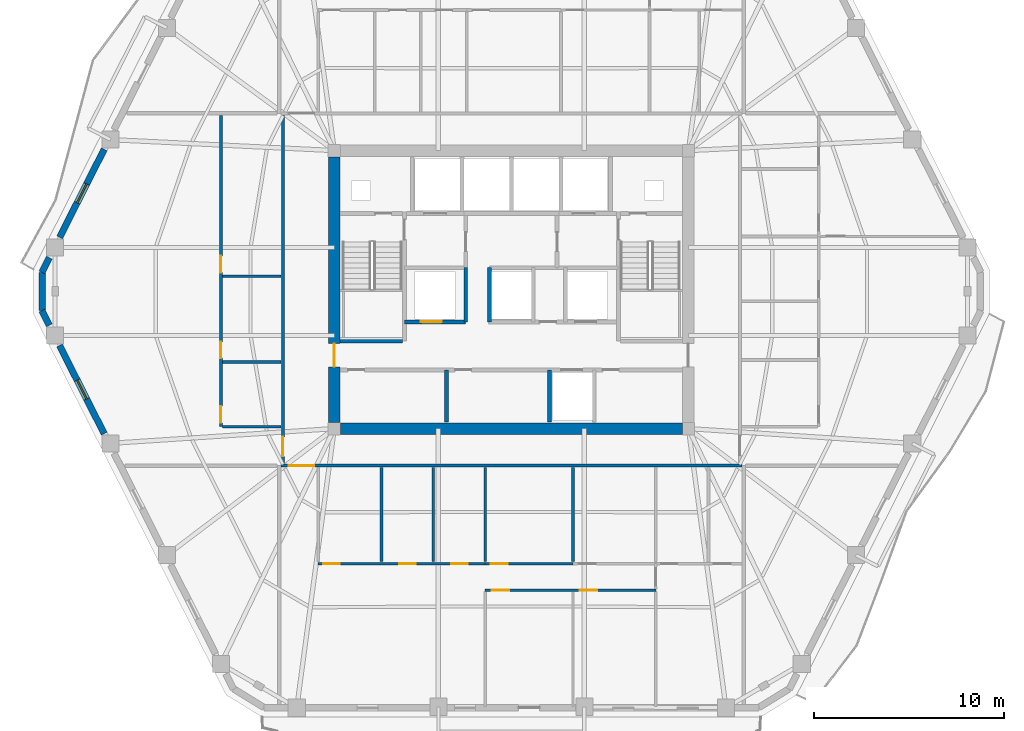
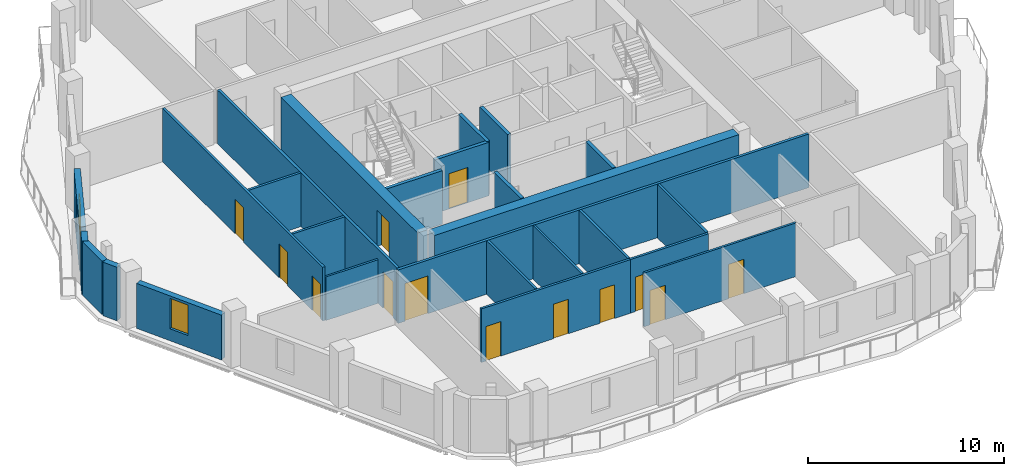
# One storey, part 4 of 10: 26 walls, 13 doors, 2 windows, 15 openings.
"""IFC4 building model written with IfcOpenShell, lengths in metres."""

from ifc_helpers import new_model, si_unit, direction, frame, frame_2d, origin, place, context, subcontext, project, spatial, rectangle, extrude, material, layer, layer_set, type_object, element, fill, save


model = new_model("IFC4")

# Units and contexts
model_context = context("Model", 3, precision=1e-05, world=origin(), true_north=direction((0.0, 1.0)))
body_context = subcontext(model_context, "Body", "Model", "MODEL_VIEW")
ifc_project = project(units=[si_unit("LENGTHUNIT", "METRE"), si_unit("AREAUNIT", "SQUARE_METRE"), si_unit("VOLUMEUNIT", "CUBIC_METRE"), si_unit("PLANEANGLEUNIT", "RADIAN"), si_unit("MASSUNIT", "GRAM", prefix="KILO")], contexts=[model_context])

# Site, building, storey
site_placement = place(None, origin())
site = spatial("IfcSite", under=ifc_project, at=site_placement, CompositionType="ELEMENT")
building_placement = place(site_placement, origin())
building = spatial("IfcBuilding", under=site, at=building_placement, Name="Cinnabar Lancet Tower", CompositionType="ELEMENT")
storey_placement = place(building_placement, frame((0.0, 0.0, 160.60009765625)))
storey = spatial("IfcBuildingStorey", under=building, at=storey_placement, Name="L42", CompositionType="ELEMENT", Elevation=160.60009765625)

# Wall, opening, door
ifc_material_1 = material(Name="Acoustic twin-stud gypsum partition", Category="gypsum")
ifc_layer_1 = layer(ifc_material_1, 0.159912109375)
ifc_layer_set_1 = layer_set([ifc_layer_1], Name="Acoustic twin-stud gypsum partition")
wall_type_1 = type_object("IfcWallType", Name="ARC-WL-CORR-160", PredefinedType="PARTITIONING", material=ifc_layer_set_1)
wall_1_placement = place(storey_placement, frame((20.294921875, 16.64990234375, 0.0), z_axis=(0.0, 0.0, 1.0), x_axis=(1.0, 0.0, 0.0)))
wall_1 = element("IfcWall", 1, at=wall_1_placement, inside=storey, type_object=wall_type_1, Name="L42 Unit S01 Corridor Wall", PredefinedType="PARTITIONING", context=body_context, shape_type="SweptSolid", body=[
    extrude(rectangle(XDim=24.2099609375, YDim=0.159912109375, at=frame_2d((12.10498046875, 0.0))), origin(), (0.0, 0.0, 1.0), 3.33984375),
])
opening_1_placement = place(wall_1_placement, frame((0.405029296875, 0.0, 0.0)))
opening_1 = element("IfcOpeningElement", 2, at=opening_1_placement, cuts=wall_1, Name="Opening UD-02", PredefinedType="OPENING", context=body_context, shape_type="SweptSolid", body=[
    extrude(rectangle(XDim=1.35009765625, YDim=2.35009765625, at=frame_2d((0.675048828125, 1.175048828125))), frame((0.0, 0.08984375, 0.0), z_axis=(0.0, -1.0, 0.0), x_axis=(1.0, 0.0, 0.0)), (0.0, 0.0, 1.0), 0.179931640625),
])
ifc_material_2 = material(Name="Double-leaf solid timber penthouse entrance door", Category="wood")
door_type_1 = type_object("IfcDoorType", Name="ARC-DR-UNIT-PH", OperationType="NOTDEFINED", PredefinedType="DOOR", material=ifc_material_2)
door_1_placement = place(opening_1_placement, origin())
door_1 = element("IfcDoor", 3, at=door_1_placement, inside=storey, type_object=door_type_1, Name="DR-L42-S01-ENT", OperationType="SINGLE_SWING_RIGHT", OverallHeight=2.35009765625, OverallWidth=1.35009765625, PredefinedType="DOOR", context=body_context, shape_type="SweptSolid", body=[
    extrude(rectangle(XDim=1.35009765625, YDim=2.35009765625, at=frame_2d((0.675048828125, 1.175048828125))), frame((0.0, 0.02490234375, 0.0), z_axis=(0.0, -1.0, 0.0), x_axis=(1.0, 0.0, 0.0)), (0.0, 0.0, 1.0), 0.050048828125),
])
fill(opening_1, door_1)

wall_2_placement = place(storey_placement, frame((20.39990234375, 16.7451171875, 0.0), z_axis=(0.0, 0.0, 1.0), x_axis=(0.0, 1.0, 0.0)))
wall_2 = element("IfcWall", 4, at=wall_2_placement, inside=storey, type_object=wall_type_1, Name="UW-L42-W01-COR", PredefinedType="PARTITIONING", context=body_context, shape_type="SweptSolid", body=[
    extrude(rectangle(XDim=18.309814453125, YDim=0.159912109375, at=frame_2d((9.15478515625, 0.0))), origin(), (0.0, 0.0, 1.0), 3.33984375),
])
opening_2_placement = place(wall_2_placement, frame((0.39990234375, 0.0, 0.0)))
opening_2 = element("IfcOpeningElement", 5, at=opening_2_placement, cuts=wall_2, Name="Opening UD-01", PredefinedType="OPENING", context=body_context, shape_type="SweptSolid", body=[
    extrude(rectangle(XDim=1.02001953125, YDim=2.25, at=frame_2d((0.510009765625, 1.125))), frame((0.0, 0.08984375, 0.0), z_axis=(0.0, -1.0, 0.0), x_axis=(1.0, 0.0, 0.0)), (0.0, 0.0, 1.0), 0.179931640625),
])
ifc_material_3 = material(Name="Solid timber fire-rated apartment entrance door", Category="wood")
door_type_2 = type_object("IfcDoorType", Name="ARC-DR-UNIT", OperationType="NOTDEFINED", PredefinedType="DOOR", material=ifc_material_3)
door_2_placement = place(opening_2_placement, origin())
door_2 = element("IfcDoor", 6, at=door_2_placement, inside=storey, type_object=door_type_2, Name="DR-L42-W01-ENT", OperationType="SINGLE_SWING_RIGHT", OverallHeight=2.25, OverallWidth=1.02001953125, PredefinedType="DOOR", context=body_context, shape_type="SweptSolid", body=[
    extrude(rectangle(XDim=1.02001953125, YDim=2.25, at=frame_2d((0.510009765625, 1.125))), frame((0.0, 0.02490234375, 0.0), z_axis=(0.0, -1.0, 0.0), x_axis=(1.0, 0.0, 0.0)), (0.0, 0.0, 1.0), 0.050048828125),
])
fill(opening_2, door_2)

# Wall
ifc_material_4 = material(Name="Autoclaved aerated concrete blockwork", Category="masonry")
ifc_layer_2 = layer(ifc_material_4, 0.199951171875)
ifc_layer_set_2 = layer_set([ifc_layer_2], Name="Autoclaved aerated concrete blockwork")
wall_type_2 = type_object("IfcWallType", Name="ARC-WL-SHAFT-200", PredefinedType="PLUMBINGWALL", material=ifc_layer_set_2)
wall_3_placement = place(storey_placement, frame((23.405029296875, 23.199951171875, 0.0), z_axis=(0.0, 0.0, 1.0), x_axis=(1.0, 0.0, 0.0)))
element("IfcWall", 7, at=wall_3_placement, inside=storey, type_object=wall_type_2, Name="CW-ST1S-L42", PredefinedType="PLUMBINGWALL", context=body_context, shape_type="SweptSolid", body=[
    extrude(rectangle(XDim=3.27001953125, YDim=0.199951171875, at=frame_2d((1.635009765625, 0.0))), origin(), (0.0, 0.0, 1.0), 3.33984375),
])

# Wall, opening, door
wall_4_placement = place(storey_placement, frame((26.800048828125, 24.199951171875, 0.0), z_axis=(0.0, 0.0, 1.0), x_axis=(1.0, 0.0, 0.0)))
wall_4 = element("IfcWall", 8, at=wall_4_placement, inside=storey, type_object=wall_type_2, Name="CW-PL5S-L42", PredefinedType="PLUMBINGWALL", context=body_context, shape_type="SweptSolid", body=[
    extrude(rectangle(XDim=3.199951171875, YDim=0.199951171875, at=frame_2d((1.60009765625, 0.0))), origin(), (0.0, 0.0, 1.0), 3.33984375),
])
opening_3_placement = place(wall_4_placement, frame((0.85009765625, 0.0, 0.0)))
opening_3 = element("IfcOpeningElement", 9, at=opening_3_placement, cuts=wall_4, Name="Opening LD-01", PredefinedType="OPENING", context=body_context, shape_type="SweptSolid", body=[
    extrude(rectangle(XDim=1.10009765625, YDim=2.199951171875, at=frame_2d((0.550048828125, 1.10009765625))), frame((0.0, 0.10986328125, 0.0), z_axis=(0.0, -1.0, 0.0), x_axis=(1.0, 0.0, 0.0)), (0.0, 0.0, 1.0), 0.219970703125),
])
ifc_material_5 = material(Name="Brushed stainless steel sliding lift door", Category="steel")
door_type_3 = type_object("IfcDoorType", Name="ARC-DR-LD-PASS", OperationType="NOTDEFINED", PredefinedType="DOOR", material=ifc_material_5)
door_3_placement = place(opening_3_placement, origin())
door_3 = element("IfcDoor", 10, at=door_3_placement, inside=storey, type_object=door_type_3, Name="L42 Lift PL-5 Landing Door", OperationType="DOUBLE_DOOR_SLIDING", OverallHeight=2.199951171875, OverallWidth=1.10009765625, PredefinedType="DOOR", context=body_context, shape_type="SweptSolid", body=[
    extrude(rectangle(XDim=1.10009765625, YDim=2.199951171875, at=frame_2d((0.550048828125, 1.10009765625))), frame((0.0, 0.02490234375, 0.0), z_axis=(0.0, -1.0, 0.0), x_axis=(1.0, 0.0, 0.0)), (0.0, 0.0, 1.0), 0.050048828125),
])
fill(opening_3, door_3)

# Walls
for number, where, z_axis, x_axis, name in (
    (11, (30.0, 24.199951171875, 0.0), (0.0, 0.0, 1.0), (0.0, 1.0, 0.0), "CW-PL5E-L42"),
    (12, (31.25, 24.199951171875, 0.0), (0.0, 0.0, 1.0), (0.0, 1.0, 0.0), "CW-PL9W-L42"),
):
    element("IfcWall", number, at=place(storey_placement, frame(where, z_axis=z_axis, x_axis=x_axis)), inside=storey, type_object=wall_type_2, Name=name, PredefinedType="PLUMBINGWALL", context=body_context, shape_type="SweptSolid", body=[
        extrude(rectangle(XDim=2.85009765625, YDim=0.199951171875, at=frame_2d((1.425048828125, 0.0))), origin(), (0.0, 0.0, 1.0), 3.33984375),
    ])
for number, where, z_axis, x_axis, name in (
    (13, (34.39990234375, 18.949951171875, 0.0), (0.0, 0.0, 1.0), (0.0, 1.0, 0.0), "CW-SB-3440-L42"),
    (14, (28.989990234375, 18.949951171875, 0.0), (0.0, 0.0, 1.0), (0.0, 1.0, 0.0), "CW-SB-2899-L42"),
):
    element("IfcWall", number, at=place(storey_placement, frame(where, z_axis=z_axis, x_axis=x_axis)), inside=storey, type_object=wall_type_2, Name=name, PredefinedType="PLUMBINGWALL", context=body_context, shape_type="SweptSolid", body=[
        extrude(rectangle(XDim=2.72998046875, YDim=0.199951171875, at=frame_2d((1.364990234375, 0.0))), origin(), (0.0, 0.0, 1.0), 3.33984375),
    ])
ifc_material_6 = material(Name="Gypsum plasterboard stud partition", Category="gypsum")
ifc_layer_3 = layer(ifc_material_6, 0.125)
ifc_layer_set_3 = layer_set([ifc_layer_3], Name="Gypsum plasterboard stud partition")
wall_type_3 = type_object("IfcWallType", Name="ARC-WL-UNIT-125", PredefinedType="PARTITIONING", material=ifc_layer_set_3)
wall_5_placement = place(storey_placement, frame((28.302978515625, 11.612060546875, 0.0), z_axis=(0.0, 0.0, 1.0), x_axis=(0.0, 1.0, 0.0)))
element("IfcWall", 15, at=wall_5_placement, inside=storey, type_object=wall_type_3, Name="UW-L42-S01-STD", PredefinedType="PARTITIONING", context=body_context, shape_type="SweptSolid", body=[
    extrude(rectangle(XDim=4.952880859375, YDim=0.125, at=frame_2d((2.4765625, 0.0))), origin(), (0.0, 0.0, 1.0), 3.33984375),
])

# Wall, openings, doors
wall_6_placement = place(storey_placement, frame((31.02294921875, 10.10693359375, 0.0), z_axis=(0.0, 0.0, 1.0), x_axis=(1.0, 0.0, 0.0)))
wall_6 = element("IfcWall", 16, at=wall_6_placement, inside=storey, type_object=wall_type_3, Name="UW-L42-S01-HLN", PredefinedType="PARTITIONING", context=body_context, shape_type="SweptSolid", body=[
    extrude(rectangle(XDim=8.9609375, YDim=0.125, at=frame_2d((4.48046875, 0.0))), origin(), (0.0, 0.0, 1.0), 3.33984375),
])
opening_4_placement = place(wall_6_placement, frame((0.35009765625, 0.0, 0.0)))
opening_4 = element("IfcOpeningElement", 17, at=opening_4_placement, cuts=wall_6, Name="Opening RD-01", PredefinedType="OPENING", context=body_context, shape_type="SweptSolid", body=[
    extrude(rectangle(XDim=0.919921875, YDim=2.14990234375, at=frame_2d((0.4599609375, 1.074951171875))), frame((0.0, 0.072509765625, 0.0), z_axis=(0.0, -1.0, 0.0), x_axis=(1.0, 0.0, 0.0)), (0.0, 0.0, 1.0), 0.14501953125),
])
opening_5_placement = place(wall_6_placement, frame((4.966064453125, 0.0, 0.0)))
opening_5 = element("IfcOpeningElement", 18, at=opening_5_placement, cuts=wall_6, Name="Opening RD-01", PredefinedType="OPENING", context=body_context, shape_type="SweptSolid", body=[
    extrude(rectangle(XDim=0.919921875, YDim=2.14990234375, at=frame_2d((0.4599609375, 1.074951171875))), frame((0.0, 0.072509765625, 0.0), z_axis=(0.0, -1.0, 0.0), x_axis=(1.0, 0.0, 0.0)), (0.0, 0.0, 1.0), 0.14501953125),
])
ifc_material_7 = material(Name="Engineered timber bedroom door", Category="wood")
door_type_4 = type_object("IfcDoorType", Name="ARC-DR-ROOM", OperationType="NOTDEFINED", PredefinedType="DOOR", material=ifc_material_7)
door_4_placement = place(opening_4_placement, origin())
door_4 = element("IfcDoor", 19, at=door_4_placement, inside=storey, type_object=door_type_4, Name="DR-L42-S01-BD2", OperationType="SINGLE_SWING_LEFT", OverallHeight=2.14990234375, OverallWidth=0.919921875, PredefinedType="DOOR", context=body_context, shape_type="SweptSolid", body=[
    extrude(rectangle(XDim=0.919921875, YDim=2.14990234375, at=frame_2d((0.4599609375, 1.074951171875))), frame((0.0, 0.02490234375, 0.0), z_axis=(0.0, -1.0, 0.0), x_axis=(1.0, 0.0, 0.0)), (0.0, 0.0, 1.0), 0.050048828125),
])
fill(opening_4, door_4)
door_5_placement = place(opening_5_placement, origin())
door_5 = element("IfcDoor", 20, at=door_5_placement, inside=storey, type_object=door_type_4, Name="DR-L42-S01-BD3", OperationType="SINGLE_SWING_RIGHT", OverallHeight=2.14990234375, OverallWidth=0.919921875, PredefinedType="DOOR", context=body_context, shape_type="SweptSolid", body=[
    extrude(rectangle(XDim=0.919921875, YDim=2.14990234375, at=frame_2d((0.4599609375, 1.074951171875))), frame((0.0, 0.02490234375, 0.0), z_axis=(0.0, -1.0, 0.0), x_axis=(1.0, 0.0, 0.0)), (0.0, 0.0, 1.0), 0.050048828125),
])
fill(opening_5, door_5)

# Wall
wall_7_placement = place(storey_placement, frame((17.235107421875, 18.699951171875, 0.0), z_axis=(0.0, 0.0, 1.0), x_axis=(1.0, 0.0, 0.0)))
element("IfcWall", 21, at=wall_7_placement, inside=storey, type_object=wall_type_3, Name="UW-L42-W01-FOYN", PredefinedType="PARTITIONING", context=body_context, shape_type="SweptSolid", body=[
    extrude(rectangle(XDim=3.079833984375, YDim=0.125, at=frame_2d((1.5400390625, 0.0))), origin(), (0.0, 0.0, 1.0), 2.721923828125),
])

# Wall, openings, doors
ifc_material_8 = material(Name="Moisture-resistant cement-board plumbing wall", Category="masonry")
ifc_layer_4 = layer(ifc_material_8, 0.139892578125)
ifc_layer_set_4 = layer_set([ifc_layer_4], Name="Moisture-resistant cement-board plumbing wall")
wall_type_4 = type_object("IfcWallType", Name="ARC-WL-WET-140", PredefinedType="PLUMBINGWALL", material=ifc_layer_set_4)
wall_8_placement = place(storey_placement, frame((22.25, 11.507080078125, 0.0), z_axis=(0.0, 0.0, 1.0), x_axis=(1.0, 0.0, 0.0)))
wall_8 = element("IfcWall", 22, at=wall_8_placement, inside=storey, type_object=wall_type_4, Name="UW-L42-S01-SPL", PredefinedType="PLUMBINGWALL", context=body_context, shape_type="SweptSolid", body=[
    extrude(rectangle(XDim=8.77294921875, YDim=0.139892578125, at=frame_2d((4.386474609375, 0.0))), origin(), (0.0, 0.0, 1.0), 3.33984375),
])
opening_6_placement = place(wall_8_placement, frame((6.988037109375, 0.0, 0.0)))
opening_6 = element("IfcOpeningElement", 23, at=opening_6_placement, cuts=wall_8, Name="Opening BD-01", PredefinedType="OPENING", context=body_context, shape_type="SweptSolid", body=[
    extrude(rectangle(XDim=0.860107421875, YDim=2.10009765625, at=frame_2d((0.43017578125, 1.050048828125))), frame((0.0, 0.079833984375, 0.0), z_axis=(0.0, -1.0, 0.0), x_axis=(1.0, 0.0, 0.0)), (0.0, 0.0, 1.0), 0.159912109375),
])
opening_7_placement = place(wall_8_placement, frame((0.260009765625, 0.0, 0.0)))
opening_7 = element("IfcOpeningElement", 24, at=opening_7_placement, cuts=wall_8, Name="Opening RD-02", PredefinedType="OPENING", context=body_context, shape_type="SweptSolid", body=[
    extrude(rectangle(XDim=0.8798828125, YDim=2.14990234375, at=frame_2d((0.43994140625, 1.074951171875))), frame((0.0, 0.079833984375, 0.0), z_axis=(0.0, -1.0, 0.0), x_axis=(1.0, 0.0, 0.0)), (0.0, 0.0, 1.0), 0.159912109375),
])
opening_8_placement = place(wall_8_placement, frame((4.25390625, 0.0, 0.0)))
opening_8 = element("IfcOpeningElement", 25, at=opening_8_placement, cuts=wall_8, Name="Opening RD-02", PredefinedType="OPENING", context=body_context, shape_type="SweptSolid", body=[
    extrude(rectangle(XDim=0.8798828125, YDim=2.14990234375, at=frame_2d((0.43994140625, 1.074951171875))), frame((0.0, 0.079833984375, 0.0), z_axis=(0.0, -1.0, 0.0), x_axis=(1.0, 0.0, 0.0)), (0.0, 0.0, 1.0), 0.159912109375),
])
ifc_material_9 = material(Name="Moisture-resistant timber bathroom door", Category="wood")
door_type_5 = type_object("IfcDoorType", Name="ARC-DR-BATH", OperationType="NOTDEFINED", PredefinedType="DOOR", material=ifc_material_9)
door_6_placement = place(opening_6_placement, origin())
door_6 = element("IfcDoor", 26, at=door_6_placement, inside=storey, type_object=door_type_5, Name="DR-L42-S01-BTH", OperationType="SINGLE_SWING_LEFT", OverallHeight=2.10009765625, OverallWidth=0.860107421875, PredefinedType="DOOR", context=body_context, shape_type="SweptSolid", body=[
    extrude(rectangle(XDim=0.860107421875, YDim=2.10009765625, at=frame_2d((0.43017578125, 1.050048828125))), frame((0.0, 0.02490234375, 0.0), z_axis=(0.0, -1.0, 0.0), x_axis=(1.0, 0.0, 0.0)), (0.0, 0.0, 1.0), 0.050048828125),
])
fill(opening_6, door_6)
ifc_material_10 = material(Name="Engineered timber study door", Category="wood")
door_type_6 = type_object("IfcDoorType", Name="ARC-DR-STUDY", OperationType="NOTDEFINED", PredefinedType="DOOR", material=ifc_material_10)
door_7_placement = place(opening_7_placement, origin())
door_7 = element("IfcDoor", 27, at=door_7_placement, inside=storey, type_object=door_type_6, Name="DR-L42-S01-KIT", OperationType="SINGLE_SWING_LEFT", OverallHeight=2.14990234375, OverallWidth=0.8798828125, PredefinedType="DOOR", context=body_context, shape_type="SweptSolid", body=[
    extrude(rectangle(XDim=0.8798828125, YDim=2.14990234375, at=frame_2d((0.43994140625, 1.074951171875))), frame((0.0, 0.02490234375, 0.0), z_axis=(0.0, -1.0, 0.0), x_axis=(1.0, 0.0, 0.0)), (0.0, 0.0, 1.0), 0.050048828125),
])
fill(opening_7, door_7)
door_8_placement = place(opening_8_placement, origin())
door_8 = element("IfcDoor", 28, at=door_8_placement, inside=storey, type_object=door_type_6, Name="DR-L42-S01-STD", OperationType="SINGLE_SWING_RIGHT", OverallHeight=2.14990234375, OverallWidth=0.8798828125, PredefinedType="DOOR", context=body_context, shape_type="SweptSolid", body=[
    extrude(rectangle(XDim=0.8798828125, YDim=2.14990234375, at=frame_2d((0.43994140625, 1.074951171875))), frame((0.0, 0.02490234375, 0.0), z_axis=(0.0, -1.0, 0.0), x_axis=(1.0, 0.0, 0.0)), (0.0, 0.0, 1.0), 0.050048828125),
])
fill(opening_8, door_8)

# Wall, opening, door
wall_9_placement = place(storey_placement, frame((31.02294921875, 11.507080078125, 0.0), z_axis=(0.0, 0.0, 1.0), x_axis=(1.0, 0.0, 0.0)))
wall_9 = element("IfcWall", 29, at=wall_9_placement, inside=storey, type_object=wall_type_4, Name="UW-L42-S01-SPM", PredefinedType="PLUMBINGWALL", context=body_context, shape_type="SweptSolid", body=[
    extrude(rectangle(XDim=4.615966796875, YDim=0.139892578125, at=frame_2d((2.30810546875, 0.0))), origin(), (0.0, 0.0, 1.0), 3.33984375),
])
opening_9_placement = place(wall_9_placement, frame((0.300048828125, 0.0, 0.0)))
opening_9 = element("IfcOpeningElement", 30, at=opening_9_placement, cuts=wall_9, Name="Opening RD-02", PredefinedType="OPENING", context=body_context, shape_type="SweptSolid", body=[
    extrude(rectangle(XDim=0.8798828125, YDim=2.14990234375, at=frame_2d((0.43994140625, 1.074951171875))), frame((0.0, 0.079833984375, 0.0), z_axis=(0.0, -1.0, 0.0), x_axis=(1.0, 0.0, 0.0)), (0.0, 0.0, 1.0), 0.159912109375),
])
door_9_placement = place(opening_9_placement, origin())
door_9 = element("IfcDoor", 31, at=door_9_placement, inside=storey, type_object=door_type_6, Name="DR-L42-S01-UTL", OperationType="SINGLE_SWING_RIGHT", OverallHeight=2.14990234375, OverallWidth=0.8798828125, PredefinedType="DOOR", context=body_context, shape_type="SweptSolid", body=[
    extrude(rectangle(XDim=0.8798828125, YDim=2.14990234375, at=frame_2d((0.43994140625, 1.074951171875))), frame((0.0, 0.02490234375, 0.0), z_axis=(0.0, -1.0, 0.0), x_axis=(1.0, 0.0, 0.0)), (0.0, 0.0, 1.0), 0.050048828125),
])
fill(opening_9, door_9)

# Walls
for number, where, z_axis, x_axis, name in (
    (32, (25.583984375, 11.612060546875, 0.0), (0.0, 0.0, 1.0), (0.0, 1.0, 0.0), "UW-L42-S01-KDV"),
    (33, (31.02294921875, 11.612060546875, 0.0), (0.0, 0.0, 1.0), (0.0, 1.0, 0.0), "UW-L42-S01-ENSW"),
    (34, (35.638916015625, 11.612060546875, 0.0), (0.0, 0.0, 1.0), (0.0, 1.0, 0.0), "UW-L42-S01-ENSE"),
):
    element("IfcWall", number, at=place(storey_placement, frame(where, z_axis=z_axis, x_axis=x_axis)), inside=storey, type_object=wall_type_4, Name=name, PredefinedType="PLUMBINGWALL", context=body_context, shape_type="SweptSolid", body=[
        extrude(rectangle(XDim=4.952880859375, YDim=0.139892578125, at=frame_2d((2.4765625, 0.0))), origin(), (0.0, 0.0, 1.0), 3.33984375),
    ])

# Wall, openings, doors
wall_10_placement = place(storey_placement, frame((17.14990234375, 18.699951171875, 0.0), z_axis=(0.0, 0.0, 1.0), x_axis=(0.0, 1.0, 0.0)))
wall_10 = element("IfcWall", 35, at=wall_10_placement, inside=storey, type_object=wall_type_4, Name="UW-L42-W01-SPL", PredefinedType="PLUMBINGWALL", context=body_context, shape_type="SweptSolid", body=[
    extrude(rectangle(XDim=16.35498046875, YDim=0.139892578125, at=frame_2d((8.177490234375, 0.0))), origin(), (0.0, 0.0, 1.0), 3.33984375),
])
opening_10_placement = place(wall_10_placement, frame((3.60009765625, 0.0, 0.0)))
opening_10 = element("IfcOpeningElement", 36, at=opening_10_placement, cuts=wall_10, Name="Opening BD-01", PredefinedType="OPENING", context=body_context, shape_type="SweptSolid", body=[
    extrude(rectangle(XDim=0.860107421875, YDim=2.10009765625, at=frame_2d((0.43017578125, 1.050048828125))), frame((0.0, 0.079833984375, 0.0), z_axis=(0.0, -1.0, 0.0), x_axis=(1.0, 0.0, 0.0)), (0.0, 0.0, 1.0), 0.159912109375),
])
opening_11_placement = place(wall_10_placement, frame((8.094970703125, 0.0, 0.0)))
opening_11 = element("IfcOpeningElement", 37, at=opening_11_placement, cuts=wall_10, Name="Opening RD-02", PredefinedType="OPENING", context=body_context, shape_type="SweptSolid", body=[
    extrude(rectangle(XDim=0.8798828125, YDim=2.14990234375, at=frame_2d((0.43994140625, 1.074951171875))), frame((0.0, 0.079833984375, 0.0), z_axis=(0.0, -1.0, 0.0), x_axis=(1.0, 0.0, 0.0)), (0.0, 0.0, 1.0), 0.159912109375),
])
opening_12_placement = place(wall_10_placement, frame((0.199951171875, 0.0, 0.0)))
opening_12 = element("IfcOpeningElement", 38, at=opening_12_placement, cuts=wall_10, Name="Opening RD-02", PredefinedType="OPENING", context=body_context, shape_type="SweptSolid", body=[
    extrude(rectangle(XDim=0.8798828125, YDim=2.14990234375, at=frame_2d((0.43994140625, 1.074951171875))), frame((0.0, 0.079833984375, 0.0), z_axis=(0.0, -1.0, 0.0), x_axis=(1.0, 0.0, 0.0)), (0.0, 0.0, 1.0), 0.159912109375),
])
door_10_placement = place(opening_10_placement, origin())
door_10 = element("IfcDoor", 39, at=door_10_placement, inside=storey, type_object=door_type_5, Name="DR-L42-W01-BTH", OperationType="SINGLE_SWING_RIGHT", OverallHeight=2.10009765625, OverallWidth=0.860107421875, PredefinedType="DOOR", context=body_context, shape_type="SweptSolid", body=[
    extrude(rectangle(XDim=0.860107421875, YDim=2.10009765625, at=frame_2d((0.43017578125, 1.050048828125))), frame((0.0, 0.02490234375, 0.0), z_axis=(0.0, -1.0, 0.0), x_axis=(1.0, 0.0, 0.0)), (0.0, 0.0, 1.0), 0.050048828125),
])
fill(opening_10, door_10)
door_11_placement = place(opening_11_placement, origin())
door_11 = element("IfcDoor", 40, at=door_11_placement, inside=storey, type_object=door_type_6, Name="DR-L42-W01-WDR", OperationType="SINGLE_SWING_LEFT", OverallHeight=2.14990234375, OverallWidth=0.8798828125, PredefinedType="DOOR", context=body_context, shape_type="SweptSolid", body=[
    extrude(rectangle(XDim=0.8798828125, YDim=2.14990234375, at=frame_2d((0.43994140625, 1.074951171875))), frame((0.0, 0.02490234375, 0.0), z_axis=(0.0, -1.0, 0.0), x_axis=(1.0, 0.0, 0.0)), (0.0, 0.0, 1.0), 0.050048828125),
])
fill(opening_11, door_11)
door_12_placement = place(opening_12_placement, origin())
door_12 = element("IfcDoor", 41, at=door_12_placement, inside=storey, type_object=door_type_6, Name="DR-L42-W01-KIT", OperationType="SINGLE_SWING_LEFT", OverallHeight=2.14990234375, OverallWidth=0.8798828125, PredefinedType="DOOR", context=body_context, shape_type="SweptSolid", body=[
    extrude(rectangle(XDim=0.8798828125, YDim=2.14990234375, at=frame_2d((0.43994140625, 1.074951171875))), frame((0.0, 0.02490234375, 0.0), z_axis=(0.0, -1.0, 0.0), x_axis=(1.0, 0.0, 0.0)), (0.0, 0.0, 1.0), 0.050048828125),
])
fill(opening_12, door_12)

# Walls
for number, where, z_axis, x_axis, name in (
    (42, (17.235107421875, 22.10009765625, 0.0), (0.0, 0.0, 1.0), (1.0, 0.0, 0.0), "UW-L42-W01-KDV"),
    (43, (17.235107421875, 26.594970703125, 0.0), (0.0, 0.0, 1.0), (1.0, 0.0, 0.0), "UW-L42-W01-BWDV"),
):
    element("IfcWall", number, at=place(storey_placement, frame(where, z_axis=z_axis, x_axis=x_axis)), inside=storey, type_object=wall_type_4, Name=name, PredefinedType="PLUMBINGWALL", context=body_context, shape_type="SweptSolid", body=[
        extrude(rectangle(XDim=3.079833984375, YDim=0.139892578125, at=frame_2d((1.5400390625, 0.0))), origin(), (0.0, 0.0, 1.0), 3.33984375),
    ])
ifc_material_11 = material(Name="Cinnabar red clay brick", Category="masonry")
ifc_layer_5 = layer(ifc_material_11, 0.340087890625)
ifc_layer_set_5 = layer_set([ifc_layer_5], Name="Cinnabar red clay brick")
wall_type_5 = type_object("IfcWallType", Name="ENV-WL-BRK-RED-340", PredefinedType="STANDARD", material=ifc_layer_set_5)
wall_11_placement = place(storey_placement, frame((7.76708984375, 26.797119140625, 0.0), z_axis=(0.0, 0.0, 1.0), x_axis=(0.0, -1.0, 0.0)))
element("IfcWall", 44, at=wall_11_placement, inside=storey, type_object=wall_type_5, Name="L42 Chamfered Corner Brick Pier 6.1", PredefinedType="STANDARD", context=body_context, shape_type="SweptSolid", body=[
    extrude(rectangle(XDim=1.994140625, YDim=0.340087890625, at=frame_2d((0.9970703125, 0.0))), origin(), (0.0, 0.0, 1.0), 3.33984375),
])

# Wall, opening, window
wall_12_placement = place(storey_placement, frame((11.013916015625, 33.261962890625, 0.0), z_axis=(0.0, 0.0, 1.0), x_axis=(-0.451506699894, -0.892267728852, 0.0)))
wall_12 = element("IfcWall", 45, at=wall_12_placement, inside=storey, type_object=wall_type_5, Name="L42 Face 5 Masonry Bay Wall 4", PredefinedType="STANDARD", context=body_context, shape_type="SweptSolid", body=[
    extrude(rectangle(XDim=5.18017578125, YDim=0.340087890625, at=frame_2d((2.590087890625, 0.0))), origin(), (0.0, 0.0, 1.0), 2.796875),
])
opening_13_placement = place(wall_12_placement, frame((2.0400390625, 0.0, 0.75)))
opening_13 = element("IfcOpeningElement", 46, at=opening_13_placement, cuts=wall_12, Name="Opening WN-04", PredefinedType="OPENING", context=body_context, shape_type="SweptSolid", body=[
    extrude(rectangle(XDim=1.10009765625, YDim=1.89697265625, at=frame_2d((0.550048828125, 0.948486328125))), frame((0.0, 0.179931640625, 0.0), z_axis=(0.0, -1.0, 0.0), x_axis=(1.0, 0.0, 0.0)), (0.0, 0.0, 1.0), 0.360107421875),
])
ifc_material_12 = material(Name="Thermally broken bronze-anodized aluminium tall lancet window", Category="aluminium")
window_type = type_object("IfcWindowType", Name="ENV-WN-LANCET-1100", PartitioningType="SINGLE_PANEL", PredefinedType="WINDOW", material=ifc_material_12)
window_1_placement = place(opening_13_placement, origin())
window_1 = element("IfcWindow", 47, at=window_1_placement, inside=storey, type_object=window_type, Name="L42 Face 5 Gothic Lancet Window 4", OverallHeight=1.89697265625, OverallWidth=1.10009765625, PartitioningType="SINGLE_PANEL", PredefinedType="WINDOW", context=body_context, shape_type="SweptSolid", body=[
    extrude(rectangle(XDim=1.10009765625, YDim=1.89697265625, at=frame_2d((0.550048828125, 0.948486328125))), frame((0.0, 0.030029296875, 0.0), z_axis=(0.0, -1.0, 0.0), x_axis=(1.0, 0.0, 0.0)), (0.0, 0.0, 1.0), 0.06005859375),
])
fill(opening_13, window_1)

# Walls
wall_13_placement = place(storey_placement, frame((8.138916015625, 27.580078125, 0.0), z_axis=(0.0, 0.0, 1.0), x_axis=(-0.451586578297, -0.892227304168, 0.0)))
element("IfcWall", 48, at=wall_13_placement, inside=storey, type_object=wall_type_5, Name="L42 Face 5 Masonry Bay Wall 5", PredefinedType="STANDARD", context=body_context, shape_type="SweptSolid", body=[
    extrude(rectangle(XDim=0.869873046875, YDim=0.340087890625, at=frame_2d((0.43505859375, 0.0))), origin(), (0.0, 0.0, 1.0), 3.33984375),
])
wall_14_placement = place(storey_placement, frame((7.74609375, 24.7958984375, 0.0), z_axis=(0.0, 0.0, 1.0), x_axis=(0.451699687084, -0.892170046957, 0.0)))
element("IfcWall", 49, at=wall_14_placement, inside=storey, type_object=wall_type_5, Name="L42 Face 6 Masonry Bay Wall 1", PredefinedType="STANDARD", context=body_context, shape_type="SweptSolid", body=[
    extrude(rectangle(XDim=0.86962890625, YDim=0.340087890625, at=frame_2d((0.434814453125, 0.0))), origin(), (0.0, 0.0, 1.0), 3.33984375),
])

# Wall, opening, window
wall_15_placement = place(storey_placement, frame((8.675048828125, 22.9599609375, 0.0), z_axis=(0.0, 0.0, 1.0), x_axis=(0.451506699894, -0.892267728852, 0.0)))
wall_15 = element("IfcWall", 50, at=wall_15_placement, inside=storey, type_object=wall_type_5, Name="L42 Face 6 Masonry Bay Wall 2", PredefinedType="STANDARD", context=body_context, shape_type="SweptSolid", body=[
    extrude(rectangle(XDim=5.18017578125, YDim=0.340087890625, at=frame_2d((2.590087890625, 0.0))), origin(), (0.0, 0.0, 1.0), 2.796875),
])
opening_14_placement = place(wall_15_placement, frame((2.0400390625, 0.0, 0.75)))
opening_14 = element("IfcOpeningElement", 51, at=opening_14_placement, cuts=wall_15, Name="Opening WN-04", PredefinedType="OPENING", context=body_context, shape_type="SweptSolid", body=[
    extrude(rectangle(XDim=1.10009765625, YDim=1.89697265625, at=frame_2d((0.550048828125, 0.948486328125))), frame((0.0, 0.179931640625, 0.0), z_axis=(0.0, -1.0, 0.0), x_axis=(1.0, 0.0, 0.0)), (0.0, 0.0, 1.0), 0.360107421875),
])
window_2_placement = place(opening_14_placement, origin())
window_2 = element("IfcWindow", 52, at=window_2_placement, inside=storey, type_object=window_type, Name="L42 Face 6 Gothic Lancet Window 2", OverallHeight=1.89697265625, OverallWidth=1.10009765625, PartitioningType="SINGLE_PANEL", PredefinedType="WINDOW", context=body_context, shape_type="SweptSolid", body=[
    extrude(rectangle(XDim=1.10009765625, YDim=1.89697265625, at=frame_2d((0.550048828125, 0.948486328125))), frame((0.0, 0.030029296875, 0.0), z_axis=(0.0, -1.0, 0.0), x_axis=(1.0, 0.0, 0.0)), (0.0, 0.0, 1.0), 0.06005859375),
])
fill(opening_14, window_2)

# Wall
ifc_material_13 = material(Name="Concrete C60/75", Category="concrete")
ifc_layer_6 = layer(ifc_material_13, 0.60009765625)
ifc_layer_set_6 = layer_set([ifc_layer_6], Name="Concrete C60/75")
wall_type_6 = type_object("IfcWallType", Name="STR-WL-CORE-600", PredefinedType="SHEAR", material=ifc_layer_set_6)
wall_16_placement = place(storey_placement, frame((23.425048828125, 18.60009765625, 0.0), z_axis=(0.0, 0.0, 1.0), x_axis=(1.0, 0.0, 0.0)))
element("IfcWall", 53, at=wall_16_placement, inside=storey, type_object=wall_type_6, Name="L42 Core Shear Wall S", PredefinedType="SHEAR", context=body_context, shape_type="SweptSolid", body=[
    extrude(rectangle(XDim=17.949951171875, YDim=0.60009765625, at=frame_2d((8.97509765625, 0.0))), origin(), (0.0, 0.0, 1.0), 3.33984375),
])

# Wall, opening, door
wall_17_placement = place(storey_placement, frame((23.10009765625, 18.925048828125, 0.0), z_axis=(0.0, 0.0, 1.0), x_axis=(0.0, 1.0, 0.0)))
wall_17 = element("IfcWall", 54, at=wall_17_placement, inside=storey, type_object=wall_type_6, Name="L42 Core Shear Wall W", PredefinedType="SHEAR", context=body_context, shape_type="SweptSolid", body=[
    extrude(rectangle(XDim=13.949951171875, YDim=0.60009765625, at=frame_2d((6.97509765625, 0.0))), origin(), (0.0, 0.0, 1.0), 3.33984375),
])
opening_15_placement = place(wall_17_placement, frame((2.9150390625, 0.0, 0.0)))
opening_15 = element("IfcOpeningElement", 55, at=opening_15_placement, cuts=wall_17, Name="Opening FD-02", PredefinedType="OPENING", context=body_context, shape_type="SweptSolid", body=[
    extrude(rectangle(XDim=1.219970703125, YDim=2.25, at=frame_2d((0.60986328125, 1.125))), frame((0.0, 0.31005859375, 0.0), z_axis=(0.0, -1.0, 0.0), x_axis=(1.0, 0.0, 0.0)), (0.0, 0.0, 1.0), 0.6201171875),
])
ifc_material_14 = material(Name="Fire-rated double-vision core portal door", Category="wood")
door_type_7 = type_object("IfcDoorType", Name="ARC-DR-CPORT", OperationType="NOTDEFINED", PredefinedType="DOOR", material=ifc_material_14)
door_13_placement = place(opening_15_placement, origin())
door_13 = element("IfcDoor", 56, at=door_13_placement, inside=storey, type_object=door_type_7, Name="L42 West Core Lobby Fire Door", OperationType="SINGLE_SWING_RIGHT", OverallHeight=2.25, OverallWidth=1.219970703125, PredefinedType="DOOR", context=body_context, shape_type="SweptSolid", body=[
    extrude(rectangle(XDim=1.219970703125, YDim=2.25, at=frame_2d((0.60986328125, 1.125))), frame((0.0, 0.02490234375, 0.0), z_axis=(0.0, -1.0, 0.0), x_axis=(1.0, 0.0, 0.0)), (0.0, 0.0, 1.0), 0.050048828125),
])
fill(opening_15, door_13)

save(model, "model.ifc")
